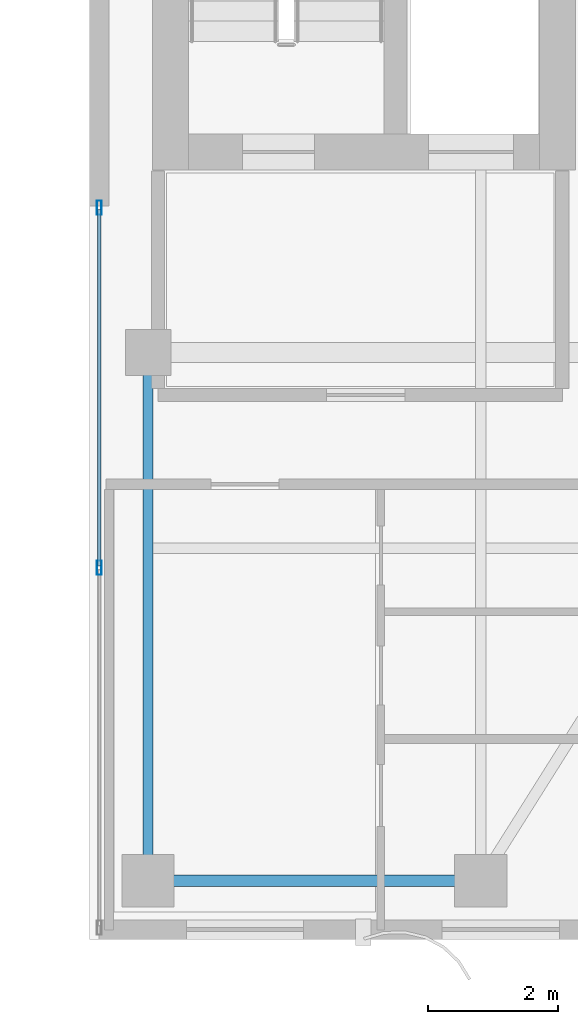
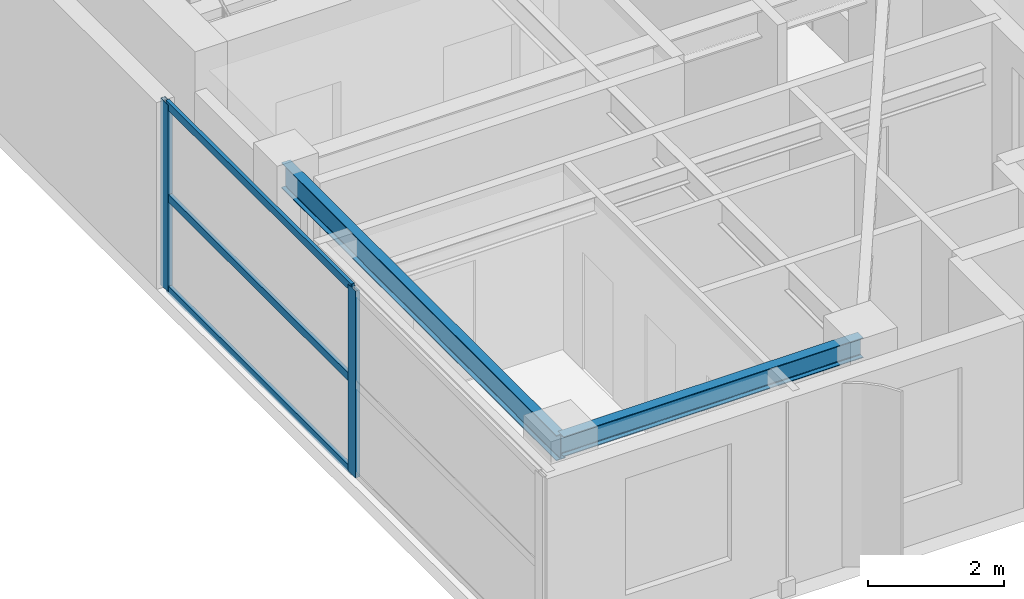
# One storey, part 5 of 24: 5 members, 2 beams, 1 element without a shape of its own.
"""IFC4 building model written with IfcOpenShell, lengths in metres."""

from ifc_helpers import new_model, si_unit, direction, frame, origin, origin_2d, place, context, subcontext, project, spatial, hollow_rectangle, i_section, extrude, source, transform, mapped, material, layer, layer_set, material_profile, profile_set, type_object, element, aggregate, save


model = new_model("IFC4")

# Units and contexts
model_context = context("Model", 3, precision=1e-05, world=origin(), true_north=direction((0.0, 1.0)))
body_context = subcontext(model_context, "Body", "Model", "MODEL_VIEW")
ifc_project = project(units=[si_unit("LENGTHUNIT", "METRE"), si_unit("AREAUNIT", "SQUARE_METRE"), si_unit("VOLUMEUNIT", "CUBIC_METRE"), si_unit("PLANEANGLEUNIT", "RADIAN"), si_unit("MASSUNIT", "GRAM", prefix="KILO")], contexts=[model_context])

# Site, building, storey
site_placement = place(None, origin())
site = spatial("IfcSite", under=ifc_project, at=site_placement, CompositionType="ELEMENT")
building_placement = place(site_placement, origin())
building = spatial("IfcBuilding", under=site, at=building_placement, Name="Khoralis Quay Care Tower", CompositionType="ELEMENT")
storey_placement = place(building_placement, frame((0.0, 0.0, 231.300048828125)))
storey = spatial("IfcBuildingStorey", under=building, at=storey_placement, Name="L60", CompositionType="ELEMENT", Elevation=231.300048828125)

# Beams
ifc_material_1 = material(Name="Steel S355", Category="steel")
ifc_material_profile_1 = material_profile(ifc_material_1, i_section(OverallWidth=0.169921875, OverallDepth=0.360107421875, WebThickness=0.008056640625, FlangeThickness=0.0126953125, FilletRadius=0.01806640625, at=origin_2d()), Name="Steel S355")
ifc_profile_set_1 = profile_set([ifc_material_profile_1], Name="Steel S355")
beam_type_1 = type_object("IfcBeamType", Name="BM-IPE360", PredefinedType="SPANDREL", material=ifc_profile_set_1)
shared_shape_1 = source(origin(), body_context, "Body", "SweptSolid", [
    extrude(i_section(OverallWidth=0.169921875, OverallDepth=0.360107421875, WebThickness=0.008056640625, FlangeThickness=0.0126953125, FilletRadius=0.01806640625, at=origin_2d()), origin(), (0.0, 0.0, 1.0), 5.10009765625),
])
beam_1_placement = place(storey_placement, frame((30.89990234375, 3.89990234375, 3.179931640625), z_axis=(1.0, 0.0, 0.0), x_axis=(0.0, 1.0, 0.0)))
element("IfcBeam", 1, at=beam_1_placement, inside=storey, type_object=beam_type_1, Name="BM-TSP-L60-02", PredefinedType="SPANDREL", context=body_context, shape_type="MappedRepresentation", body=[
    mapped(shared_shape_1, transform((0.0, 0.0, 0.0), scale=1.0)),
])
ifc_material_profile_2 = material_profile(ifc_material_1, i_section(OverallWidth=0.154052734375, OverallDepth=0.458984375, WebThickness=0.009033203125, FlangeThickness=0.015380859375, FilletRadius=0.014892578125, at=origin_2d()), Name="Steel S355")
ifc_profile_set_2 = profile_set([ifc_material_profile_2], Name="Steel S355")
beam_type_2 = type_object("IfcBeamType", Name="BM-W460X68", PredefinedType="BEAM", material=ifc_profile_set_2)
shared_shape_2 = source(origin(), body_context, "Body", "SweptSolid", [
    extrude(i_section(OverallWidth=0.154052734375, OverallDepth=0.458984375, WebThickness=0.009033203125, FlangeThickness=0.015380859375, FilletRadius=0.014892578125, at=origin_2d()), origin(), (0.0, 0.0, 1.0), 8.10009765625),
])
beam_2_placement = place(storey_placement, frame((30.89990234375, 3.89990234375, 3.13037109375), z_axis=(0.0, 1.0, 0.0), x_axis=(-1.0, 0.0, 0.0)))
element("IfcBeam", 2, at=beam_2_placement, inside=storey, type_object=beam_type_2, Name="BM-TGYS-L60-309", PredefinedType="BEAM", context=body_context, shape_type="MappedRepresentation", body=[
    mapped(shared_shape_2, transform((0.0, 0.0, 0.0), scale=1.0)),
])

# Curtain wall, members
ifc_material_2 = material(Name="Pale anodised aluminium", Category="aluminium")
ifc_layer = layer(ifc_material_2, 0.18994140625)
ifc_layer_set = layer_set([ifc_layer], Name="Pale anodised aluminium")
curtain_wall_type = type_object("IfcCurtainWallType", Name="CW-SYS-PORTAL", PredefinedType="NOTDEFINED", material=ifc_layer_set)
curtain_wall_placement = place(storey_placement, origin())
curtain_wall = element("IfcCurtainWall", 3, at=curtain_wall_placement, inside=storey, type_object=curtain_wall_type, Name="L60 Unitised Curtain Wall CW-VP-L60-P2-S", PredefinedType="NOTDEFINED")
ifc_material_profile_3 = material_profile(ifc_material_2, hollow_rectangle(XDim=0.06005859375, YDim=0.139892578125, WallThickness=0.00390625, at=origin_2d()), Name="Pale anodised aluminium")
ifc_profile_set_3 = profile_set([ifc_material_profile_3], Name="Pale anodised aluminium")
member_type_1 = type_object("IfcMemberType", Name="CW-TRN-140", PredefinedType="USERDEFINED", material=ifc_profile_set_3)
shared_shape_3 = source(origin(), body_context, "Body", "SweptSolid", [
    extrude(hollow_rectangle(XDim=0.06005859375, YDim=0.139892578125, WallThickness=0.00390625, at=origin_2d()), origin(), (0.0, 0.0, 1.0), 5.4599609375),
])
member_1_placement = place(storey_placement, frame((30.14990234375, 8.72998046875, 0.030029296875), z_axis=(0.0, 1.0, 0.0), x_axis=(-1.0, 0.0, 0.0)))
member_1 = element("IfcMember", 4, at=member_1_placement, type_object=member_type_1, Name="CW4 transom 2.1", ObjectType="TRANSOM", PredefinedType="USERDEFINED", context=body_context, shape_type="MappedRepresentation", body=[
    mapped(shared_shape_3, transform((0.0, 0.0, 0.0), scale=1.0)),
])
member_2_placement = place(storey_placement, frame((30.14990234375, 8.72998046875, 1.679931640625), z_axis=(0.0, 1.0, 0.0), x_axis=(-1.0, 0.0, 0.0)))
member_2 = element("IfcMember", 5, at=member_2_placement, type_object=member_type_1, Name="CW4 transom 2.2", ObjectType="TRANSOM", PredefinedType="USERDEFINED", context=body_context, shape_type="MappedRepresentation", body=[
    mapped(shared_shape_3, transform((0.0, 0.0, 0.0), scale=1.0)),
])
member_3_placement = place(storey_placement, frame((30.14990234375, 8.72998046875, 3.329833984375), z_axis=(0.0, 1.0, 0.0), x_axis=(-1.0, 0.0, 0.0)))
member_3 = element("IfcMember", 6, at=member_3_placement, type_object=member_type_1, Name="CW4 transom 2.3", ObjectType="TRANSOM", PredefinedType="USERDEFINED", context=body_context, shape_type="MappedRepresentation", body=[
    mapped(shared_shape_3, transform((0.0, 0.0, 0.0), scale=1.0)),
])
ifc_material_profile_4 = material_profile(ifc_material_2, hollow_rectangle(XDim=0.074951171875, YDim=0.219970703125, WallThickness=0.00390625, at=origin_2d()), Name="Pale anodised aluminium")
ifc_profile_set_4 = profile_set([ifc_material_profile_4], Name="Pale anodised aluminium")
member_type_2 = type_object("IfcMemberType", Name="CW-MUL-220", PredefinedType="MULLION", material=ifc_profile_set_4)
shared_shape_4 = source(origin(), body_context, "Body", "SweptSolid", [
    extrude(hollow_rectangle(XDim=0.074951171875, YDim=0.219970703125, WallThickness=0.00390625, at=origin_2d()), origin(), (0.0, 0.0, 1.0), 3.35986328125),
])
member_4_placement = place(storey_placement, frame((30.14990234375, 8.699951171875, 0.0), z_axis=(0.0, 0.0, 1.0), x_axis=(-1.0, 0.0, 0.0)))
member_4 = element("IfcMember", 7, at=member_4_placement, type_object=member_type_2, Name="CW4 mullion 2", PredefinedType="MULLION", context=body_context, shape_type="MappedRepresentation", body=[
    mapped(shared_shape_4, transform((0.0, 0.0, 0.0), scale=1.0)),
])
member_5_placement = place(storey_placement, frame((30.14990234375, 14.219970703125, 0.0), z_axis=(0.0, 0.0, 1.0), x_axis=(-1.0, 0.0, 0.0)))
member_5 = element("IfcMember", 8, at=member_5_placement, type_object=member_type_2, Name="CW4 mullion 3", PredefinedType="MULLION", context=body_context, shape_type="MappedRepresentation", body=[
    mapped(shared_shape_4, transform((0.0, 0.0, 0.0), scale=1.0)),
])
aggregate(curtain_wall, [member_4, member_5, member_1, member_2, member_3])

save(model, "model.ifc")
